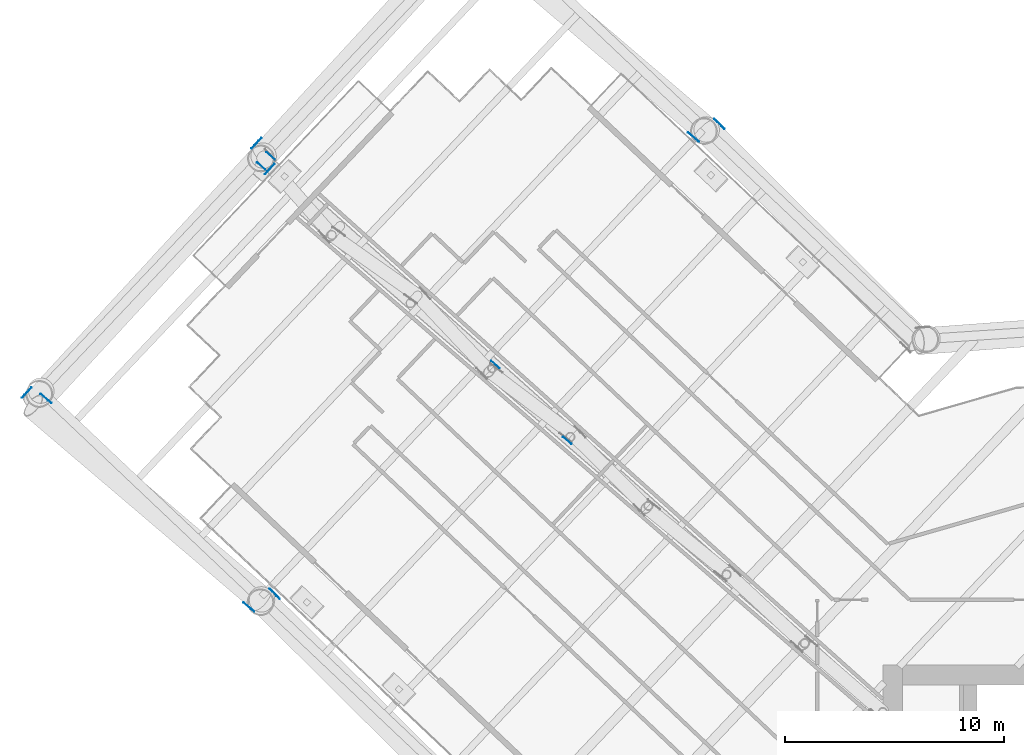
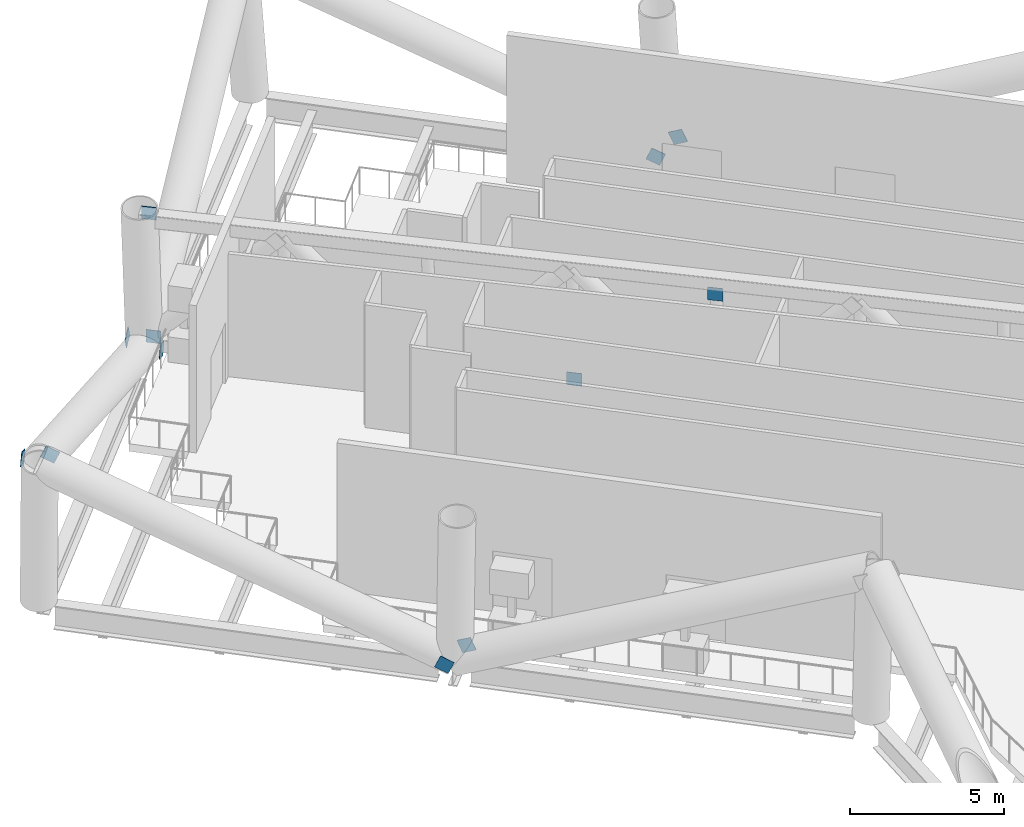
# One storey, part 26 of 39: 12 discrete accessories.
"""IFC4 building model written with IfcOpenShell, lengths in metres."""

from ifc_helpers import new_model, si_unit, direction, frame, origin, origin_2d, place, context, subcontext, project, spatial, rectangle, extrude, material, material_profile, profile_set, type_object, element, save


model = new_model("IFC4")

# Units and contexts
model_context = context("Model", 3, precision=1e-05, world=origin(), true_north=direction((0.0, 1.0)))
body_context = subcontext(model_context, "Body", "Model", "MODEL_VIEW")
ifc_project = project(units=[si_unit("LENGTHUNIT", "METRE"), si_unit("AREAUNIT", "SQUARE_METRE"), si_unit("VOLUMEUNIT", "CUBIC_METRE"), si_unit("PLANEANGLEUNIT", "RADIAN"), si_unit("MASSUNIT", "GRAM", prefix="KILO")], contexts=[model_context])

# Site, building, storey
site_placement = place(None, origin())
site = spatial("IfcSite", under=ifc_project, at=site_placement, CompositionType="ELEMENT")
building_placement = place(site_placement, origin())
building = spatial("IfcBuilding", under=site, at=building_placement, Name="Tarsis Ring Headquarters", CompositionType="ELEMENT")
storey_placement = place(building_placement, frame((0.0, 0.0, 86.800048828125)))
storey = spatial("IfcBuildingStorey", under=building, at=storey_placement, Name="L19", CompositionType="ELEMENT", Elevation=86.800048828125)

# Discrete accessories
ifc_material = material(Name="Structural steel S355", Category="steel")
ifc_material_profile = material_profile(ifc_material, rectangle(XDim=0.02490234375, YDim=0.5, at=origin_2d()), Name="PL 25x500")
ifc_profile_set = profile_set([ifc_material_profile], Name="Structural steel S355")
discrete_accessory_type_1 = type_object("IfcDiscreteAccessoryType", Name="Gusset plate Belt truss 25", PredefinedType="BRACKET", material=ifc_profile_set)
for number, where, z_axis, x_axis, name in (
    (1, (-17.641357421875, 37.9267578125, 0.0), (0.649494125643, -0.646075735508, 0.400928328686), (0.705238609225, 0.708970030438, 0.0), "Gusset plate GP4"),
    (2, (-18.484130859375, 37.0126953125, 0.0), (-0.699793628542, 0.597730217261, 0.391161686296), (-0.649479458687, -0.760379137499, 0.0), "Gusset plate GP4"),
    (3, (-38.808349609375, 36.712890625, 0.0), (0.623070866557, 0.676783872294, 0.392104941885), (-0.735698222837, 0.677309474993, 0.0), "Gusset plate GP4"),
    (4, (-37.89306640625, 35.8701171875, 0.0), (-0.631926266402, -0.686133233613, 0.360403079293), (0.735565700961, -0.677453392913, 0.0), "Gusset plate GP4"),
    (5, (-49.32373046875, 25.300537109375, 6.0), (0.631814999383, 0.68601242205, -0.360827886046), (-0.735565700961, 0.677453392913, 0.0), "Gusset plate GP4"),
    (6, (-38.828857421875, 15.5126953125, 0.0), (-0.697264793796, 0.594237572864, 0.400878428366), (-0.648638026849, -0.761097043829, 0.0), "Gusset plate GP4"),
    (7, (-48.462890625, 25.3525390625, 6.0), (0.697264793796, -0.594237572864, -0.400878428366), (0.648638026849, 0.761097043829, 0.0), "Gusset plate GP4"),
    (8, (-37.987060546875, 16.427734375, 0.0), (0.652952691339, -0.648557347867, 0.391185569007), (0.704714784733, 0.709490713244, 0.0), "Gusset plate GP4"),
):
    element("IfcDiscreteAccessory", number, at=place(storey_placement, frame(where, z_axis=z_axis, x_axis=x_axis)), inside=storey, type_object=discrete_accessory_type_1, Name=name, PredefinedType="BRACKET", context=body_context, shape_type="SweptSolid", body=[
        extrude(rectangle(XDim=0.02490234375, YDim=0.5, at=origin_2d()), origin(), (0.0, 0.0, 1.0), 0.5),
    ])
discrete_accessory_type_2 = type_object("IfcDiscreteAccessoryType", Name="Gusset plate Outrigger chord 25", PredefinedType="BRACKET", material=ifc_profile_set)
discrete_accessory_placement = place(storey_placement, frame((-38.193359375, 36.4677734375, 0.25390625), z_axis=(0.744870735683, -0.667208803241, 0.0), x_axis=(0.667208803241, 0.744870735683, 0.0)))
element("IfcDiscreteAccessory", 9, at=discrete_accessory_placement, inside=storey, type_object=discrete_accessory_type_2, Name="Gusset plate GP3", PredefinedType="BRACKET", context=body_context, shape_type="SweptSolid", body=[
    extrude(rectangle(XDim=0.02490234375, YDim=0.5, at=origin_2d()), origin(), (0.0, 0.0, 1.0), 0.499755859375),
])
for number, where, z_axis, x_axis, name in (
    (10, (-38.632568359375, 36.00390625, 5.5859375), (0.755834056638, -0.654763223483, 0.0), (0.654763223483, 0.755834056638, 0.0), "Gusset plate GP3"),
    (11, (-24.435791015625, 23.281005859375, 5.33203125), (0.0, 0.0, -1.0), (-0.654691223085, -0.755896423073, 0.0), "Gusset plate GP3"),
    (12, (-27.724365234375, 26.752685546875, 0.508056640625), (0.0, 0.0, 1.0), (0.667266332194, 0.744819200827, 0.0), "Gusset plate GP3"),
):
    element("IfcDiscreteAccessory", number, at=place(storey_placement, frame(where, z_axis=z_axis, x_axis=x_axis)), inside=storey, type_object=discrete_accessory_type_2, Name=name, PredefinedType="BRACKET", context=body_context, shape_type="SweptSolid", body=[
        extrude(rectangle(XDim=0.02490234375, YDim=0.5, at=origin_2d()), origin(), (0.0, 0.0, 1.0), 0.5),
    ])

save(model, "model.ifc")
